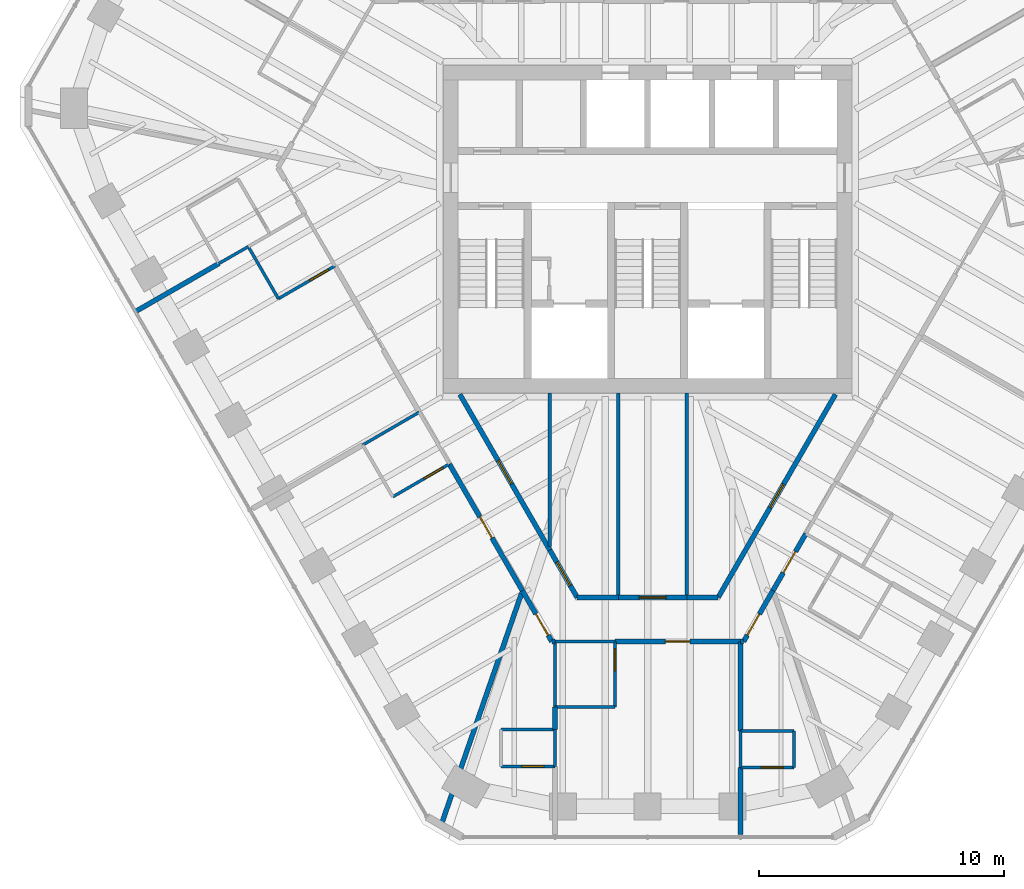
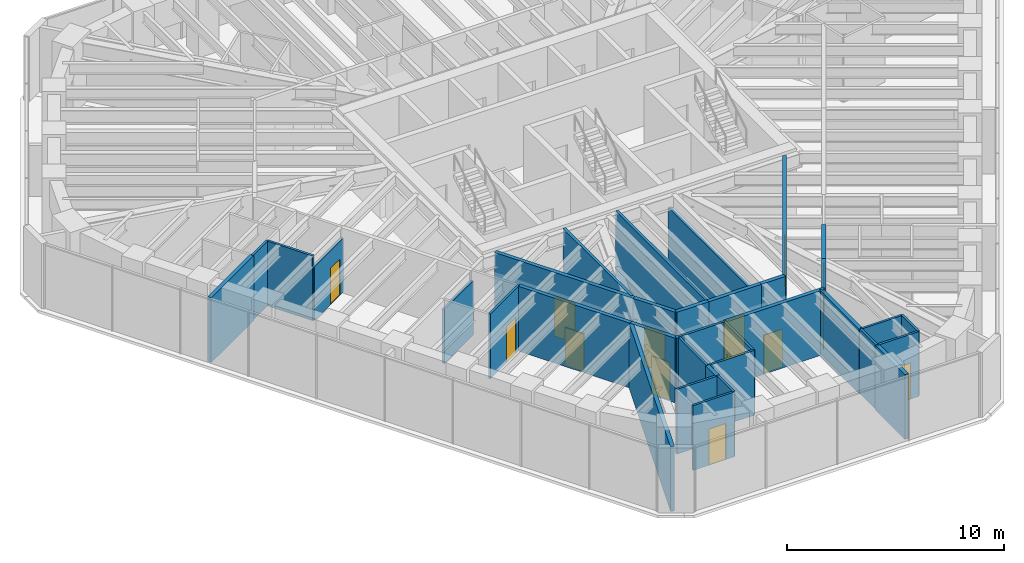
# One storey, part 9 of 14: 37 walls, 14 doors, 14 openings.
"""IFC4 building model written with IfcOpenShell, lengths in metres."""

from ifc_helpers import new_model, si_unit, direction, frame, frame_2d, origin, place, context, subcontext, project, spatial, rectangle, extrude, material, layer, layer_set, type_object, element, fill, save


model = new_model("IFC4")

# Units and contexts
model_context = context("Model", 3, precision=1e-05, world=origin(), true_north=direction((0.0, 1.0)))
body_context = subcontext(model_context, "Body", "Model", "MODEL_VIEW")
ifc_project = project(units=[si_unit("LENGTHUNIT", "METRE"), si_unit("AREAUNIT", "SQUARE_METRE"), si_unit("VOLUMEUNIT", "CUBIC_METRE"), si_unit("PLANEANGLEUNIT", "RADIAN"), si_unit("MASSUNIT", "GRAM", prefix="KILO")], contexts=[model_context])

# Site, building, storey
site_placement = place(None, origin())
site = spatial("IfcSite", under=ifc_project, at=site_placement, CompositionType="ELEMENT")
building_placement = place(site_placement, origin())
building = spatial("IfcBuilding", under=site, at=building_placement, Name="Sandreach Pilgrim Tower", CompositionType="ELEMENT")
storey_placement = place(building_placement, frame((0.0, 0.0, 268.39990234375)))
storey = spatial("IfcBuildingStorey", under=building, at=storey_placement, Name="L67", CompositionType="ELEMENT", Elevation=268.39990234375)

# Walls
ifc_material_1 = material(Name="Gypsum board on steel studs", Category="steel")
ifc_layer_1 = layer(ifc_material_1, 0.14990234375)
ifc_layer_set_1 = layer_set([ifc_layer_1], Name="Back of house wall 150")
wall_type_1 = type_object("IfcWallType", Name="Back of house wall 150", PredefinedType="PARTITIONING", material=ifc_layer_set_1)
wall_1_placement = place(storey_placement, frame((-4.0, -6.699951171875, 0.0), z_axis=(0.0, 0.0, 1.0), x_axis=(0.0, -1.0, 0.0)))
element("IfcWall", 1, at=wall_1_placement, inside=storey, type_object=wall_type_1, Name="Back of house wall L67-049", PredefinedType="PARTITIONING", context=body_context, shape_type="SweptSolid", body=[
    extrude(rectangle(XDim=6.26513671875, YDim=0.14990234375, at=frame_2d((3.132568359375, 0.0))), origin(), (0.0, 0.0, 1.0), 3.64013671875),
])
wall_2_placement = place(storey_placement, frame((-1.199951171875, -6.699951171875, 0.0), z_axis=(0.0, 0.0, 1.0), x_axis=(0.0, -1.0, 0.0)))
element("IfcWall", 2, at=wall_2_placement, inside=storey, type_object=wall_type_1, Name="Back of house wall L67-065", PredefinedType="PARTITIONING", context=body_context, shape_type="SweptSolid", body=[
    extrude(rectangle(XDim=8.360107421875, YDim=0.14990234375, at=frame_2d((4.18017578125, 0.0))), origin(), (0.0, 0.0, 1.0), 3.64013671875),
])
wall_3_placement = place(storey_placement, frame((1.60009765625, -6.699951171875, 0.0), z_axis=(0.0, 0.0, 1.0), x_axis=(0.0, -1.0, 0.0)))
element("IfcWall", 3, at=wall_3_placement, inside=storey, type_object=wall_type_1, Name="Back of house wall L67-067", PredefinedType="PARTITIONING", context=body_context, shape_type="SweptSolid", body=[
    extrude(rectangle(XDim=8.360107421875, YDim=0.14990234375, at=frame_2d((4.18017578125, 0.0))), origin(), (0.0, 0.0, 1.0), 2.8603515625),
])
ifc_material_2 = material(Name="Moisture-resistant gypsum board on steel studs", Category="steel")
ifc_layer_2 = layer(ifc_material_2, 0.1201171875)
ifc_layer_set_2 = layer_set([ifc_layer_2], Name="Bathroom partition 120")
wall_type_2 = type_object("IfcWallType", Name="Bathroom partition 120", PredefinedType="PARTITIONING", material=ifc_layer_set_2)
wall_4_placement = place(storey_placement, frame((-17.530517578125, -1.39892578125, 0.0), z_axis=(0.0, 0.0, 1.0), x_axis=(0.867308096735, 0.497771700017, 0.0)))
element("IfcWall", 4, at=wall_4_placement, inside=storey, type_object=wall_type_2, Name="Bathroom partition L67-005", PredefinedType="PARTITIONING", context=body_context, shape_type="SweptSolid", body=[
    extrude(rectangle(XDim=1.384033203125, YDim=0.1201171875, at=frame_2d((0.69189453125, 0.0))), origin(), (0.0, 0.0, 1.0), 3.64013671875),
])
wall_5_placement = place(storey_placement, frame((-16.330078125, -0.7099609375, 0.0), z_axis=(0.0, 0.0, 1.0), x_axis=(0.500046071023, -0.865998803033, 0.0)))
element("IfcWall", 5, at=wall_5_placement, inside=storey, type_object=wall_type_2, Name="Bathroom partition L67-009", PredefinedType="PARTITIONING", context=body_context, shape_type="SweptSolid", body=[
    extrude(rectangle(XDim=2.459716796875, YDim=0.1201171875, at=frame_2d((1.22998046875, 0.0))), origin(), (0.0, 0.0, 1.0), 3.64013671875),
])

# Wall, opening, door
wall_6_placement = place(storey_placement, frame((-15.10009765625, -2.840087890625, 0.0), z_axis=(0.0, 0.0, 1.0), x_axis=(0.86498992408, 0.501789229896, 0.0)))
wall_6 = element("IfcWall", 6, at=wall_6_placement, inside=storey, type_object=wall_type_2, Name="Bathroom partition L67-016", PredefinedType="PARTITIONING", context=body_context, shape_type="SweptSolid", body=[
    extrude(rectangle(XDim=2.670654296875, YDim=0.1201171875, at=frame_2d((1.33544921875, 0.0))), origin(), (0.0, 0.0, 1.0), 3.02294921875),
])
opening_1_placement = place(wall_6_placement, frame((1.470458984375, 0.0, 0.0)))
opening_1 = element("IfcOpeningElement", 7, at=opening_1_placement, cuts=wall_6, Name="Opening D09-14B", PredefinedType="OPENING", context=body_context, shape_type="SweptSolid", body=[
    extrude(rectangle(XDim=0.89990234375, YDim=2.030029296875, at=frame_2d((0.449951171875, 1.01513671875))), frame((0.0, 0.06005859375, 0.0), z_axis=(0.0, -1.0, 0.0), x_axis=(1.0, 0.0, 0.0)), (0.0, 0.0, 1.0), 0.1201171875),
])
ifc_material_3 = material(Name="Timber door, steel frame", Category="steel")
door_type_1 = type_object("IfcDoorType", Name="Bathroom door", OperationType="SINGLE_SWING_LEFT", PredefinedType="DOOR", material=ifc_material_3)
door_1_placement = place(opening_1_placement, origin())
door_1 = element("IfcDoor", 8, at=door_1_placement, inside=storey, type_object=door_type_1, Name="Door 6714B", OperationType="SINGLE_SWING_RIGHT", OverallHeight=2.030029296875, OverallWidth=0.89990234375, PredefinedType="DOOR", context=body_context, shape_type="SweptSolid", body=[
    extrude(rectangle(XDim=0.89990234375, YDim=2.030029296875, at=frame_2d((0.449951171875, 1.01513671875))), frame((0.0, 0.02490234375, 0.0), z_axis=(0.0, -1.0, 0.0), x_axis=(1.0, 0.0, 0.0)), (0.0, 0.0, 1.0), 0.050048828125),
])
fill(opening_1, door_1)

# Wall
wall_7_placement = place(storey_placement, frame((-11.64990234375, -8.820068359375, 0.0), z_axis=(0.0, 0.0, 1.0), x_axis=(0.864966903181, 0.501828911485, 0.0)))
element("IfcWall", 9, at=wall_7_placement, inside=storey, type_object=wall_type_2, Name="Bathroom partition L67-026", PredefinedType="PARTITIONING", context=body_context, shape_type="SweptSolid", body=[
    extrude(rectangle(XDim=2.67041015625, YDim=0.1201171875, at=frame_2d((1.335205078125, 0.0))), origin(), (0.0, 0.0, 1.0), 3.0380859375),
])

# Wall, opening, door
wall_8_placement = place(storey_placement, frame((-10.419921875, -10.93994140625, 0.0), z_axis=(0.0, 0.0, 1.0), x_axis=(0.865006586495, 0.501760505939, 0.0)))
wall_8 = element("IfcWall", 10, at=wall_8_placement, inside=storey, type_object=wall_type_2, Name="Bathroom partition L67-030", PredefinedType="PARTITIONING", context=body_context, shape_type="SweptSolid", body=[
    extrude(rectangle(XDim=2.670166015625, YDim=0.1201171875, at=frame_2d((1.3349609375, 0.0))), origin(), (0.0, 0.0, 1.0), 3.64013671875),
])
opening_2_placement = place(wall_8_placement, frame((1.470458984375, 0.0, 0.0)))
opening_2 = element("IfcOpeningElement", 11, at=opening_2_placement, cuts=wall_8, Name="Opening D09-13B", PredefinedType="OPENING", context=body_context, shape_type="SweptSolid", body=[
    extrude(rectangle(XDim=0.89990234375, YDim=2.030029296875, at=frame_2d((0.449951171875, 1.01513671875))), frame((0.0, 0.06005859375, 0.0), z_axis=(0.0, -1.0, 0.0), x_axis=(1.0, 0.0, 0.0)), (0.0, 0.0, 1.0), 0.1201171875),
])
door_2_placement = place(opening_2_placement, origin())
door_2 = element("IfcDoor", 12, at=door_2_placement, inside=storey, type_object=door_type_1, Name="Door 6713B", OperationType="SINGLE_SWING_RIGHT", OverallHeight=2.030029296875, OverallWidth=0.89990234375, PredefinedType="DOOR", context=body_context, shape_type="SweptSolid", body=[
    extrude(rectangle(XDim=0.89990234375, YDim=2.030029296875, at=frame_2d((0.449951171875, 1.01513671875))), frame((0.0, 0.02490234375, 0.0), z_axis=(0.0, -1.0, 0.0), x_axis=(1.0, 0.0, 0.0)), (0.0, 0.0, 1.0), 0.050048828125),
])
fill(opening_2, door_2)

wall_9_placement = place(storey_placement, frame((-5.989990234375, -21.9599609375, 0.0), z_axis=(0.0, 0.0, 1.0), x_axis=(1.0, 0.0, 0.0)))
wall_9 = element("IfcWall", 13, at=wall_9_placement, inside=storey, type_object=wall_type_2, Name="Bathroom partition L67-042", PredefinedType="PARTITIONING", context=body_context, shape_type="SweptSolid", body=[
    extrude(rectangle(XDim=2.199951171875, YDim=0.1201171875, at=frame_2d((1.10009765625, 0.0))), origin(), (0.0, 0.0, 1.0), 3.64013671875),
])
opening_3_placement = place(wall_9_placement, frame((0.85009765625, 0.0, 0.0)))
opening_3 = element("IfcOpeningElement", 14, at=opening_3_placement, cuts=wall_9, Name="Opening D09-12B", PredefinedType="OPENING", context=body_context, shape_type="SweptSolid", body=[
    extrude(rectangle(XDim=0.89990234375, YDim=2.030029296875, at=frame_2d((0.449951171875, 1.01513671875))), frame((0.0, 0.06005859375, 0.0), z_axis=(0.0, -1.0, 0.0), x_axis=(1.0, 0.0, 0.0)), (0.0, 0.0, 1.0), 0.1201171875),
])
door_3_placement = place(opening_3_placement, origin())
door_3 = element("IfcDoor", 15, at=door_3_placement, inside=storey, type_object=door_type_1, Name="Door 6712B", OperationType="SINGLE_SWING_RIGHT", OverallHeight=2.030029296875, OverallWidth=0.89990234375, PredefinedType="DOOR", context=body_context, shape_type="SweptSolid", body=[
    extrude(rectangle(XDim=0.89990234375, YDim=2.030029296875, at=frame_2d((0.449951171875, 1.01513671875))), frame((0.0, 0.02490234375, 0.0), z_axis=(0.0, -1.0, 0.0), x_axis=(1.0, 0.0, 0.0)), (0.0, 0.0, 1.0), 0.050048828125),
])
fill(opening_3, door_3)

# Walls
wall_10_placement = place(storey_placement, frame((-3.7900390625, -21.9599609375, 0.0), z_axis=(0.0, 0.0, 1.0), x_axis=(0.0, 1.0, 0.0)))
element("IfcWall", 16, at=wall_10_placement, inside=storey, type_object=wall_type_2, Name="Bathroom partition L67-052", PredefinedType="PARTITIONING", context=body_context, shape_type="SweptSolid", body=[
    extrude(rectangle(XDim=1.5, YDim=0.1201171875, at=frame_2d((0.75, 0.0))), origin(), (0.0, 0.0, 1.0), 3.64013671875),
])
wall_11_placement = place(storey_placement, frame((-3.7900390625, -20.4599609375, 0.0), z_axis=(0.0, 0.0, 1.0), x_axis=(-1.0, 0.0, 0.0)))
element("IfcWall", 17, at=wall_11_placement, inside=storey, type_object=wall_type_2, Name="Bathroom partition L67-053", PredefinedType="PARTITIONING", context=body_context, shape_type="SweptSolid", body=[
    extrude(rectangle(XDim=2.199951171875, YDim=0.1201171875, at=frame_2d((1.10009765625, 0.0))), origin(), (0.0, 0.0, 1.0), 3.64013671875),
])
wall_12_placement = place(storey_placement, frame((-3.7900390625, -19.530029296875, 0.0), z_axis=(0.0, 0.0, 1.0), x_axis=(0.0, 1.0, 0.0)))
element("IfcWall", 18, at=wall_12_placement, inside=storey, type_object=wall_type_2, Name="Bathroom partition L67-055", PredefinedType="PARTITIONING", context=body_context, shape_type="SweptSolid", body=[
    extrude(rectangle(XDim=2.669921875, YDim=0.1201171875, at=frame_2d((1.3349609375, 0.0))), origin(), (0.0, 0.0, 1.0), 3.64013671875),
])
for number, where, z_axis, x_axis, name in (
    (19, (-3.7900390625, -19.530029296875, 0.0), (0.0, 0.0, 1.0), (1.0, 0.0, 0.0), "Bathroom partition L67-056"),
    (20, (-3.7900390625, -16.860107421875, 0.0), (0.0, 0.0, 1.0), (1.0, 0.0, 0.0), "Bathroom partition L67-057"),
):
    element("IfcWall", number, at=place(storey_placement, frame(where, z_axis=z_axis, x_axis=x_axis)), inside=storey, type_object=wall_type_2, Name=name, PredefinedType="PARTITIONING", context=body_context, shape_type="SweptSolid", body=[
        extrude(rectangle(XDim=2.449951171875, YDim=0.1201171875, at=frame_2d((1.22509765625, 0.0))), origin(), (0.0, 0.0, 1.0), 3.64013671875),
    ])

# Wall, opening, door
wall_13_placement = place(storey_placement, frame((-1.340087890625, -19.530029296875, 0.0), z_axis=(0.0, 0.0, 1.0), x_axis=(0.0, 1.0, 0.0)))
wall_13 = element("IfcWall", 21, at=wall_13_placement, inside=storey, type_object=wall_type_2, Name="Bathroom partition L67-062", PredefinedType="PARTITIONING", context=body_context, shape_type="SweptSolid", body=[
    extrude(rectangle(XDim=2.669921875, YDim=0.1201171875, at=frame_2d((1.3349609375, 0.0))), origin(), (0.0, 0.0, 1.0), 3.64013671875),
])
opening_4_placement = place(wall_13_placement, frame((1.469970703125, 0.0, 0.0)))
opening_4 = element("IfcOpeningElement", 22, at=opening_4_placement, cuts=wall_13, Name="Opening D09-11B", PredefinedType="OPENING", context=body_context, shape_type="SweptSolid", body=[
    extrude(rectangle(XDim=0.89990234375, YDim=2.030029296875, at=frame_2d((0.449951171875, 1.01513671875))), frame((0.0, 0.06005859375, 0.0), z_axis=(0.0, -1.0, 0.0), x_axis=(1.0, 0.0, 0.0)), (0.0, 0.0, 1.0), 0.1201171875),
])
door_4_placement = place(opening_4_placement, origin())
door_4 = element("IfcDoor", 23, at=door_4_placement, inside=storey, type_object=door_type_1, Name="Door 6711B", OperationType="SINGLE_SWING_RIGHT", OverallHeight=2.030029296875, OverallWidth=0.89990234375, PredefinedType="DOOR", context=body_context, shape_type="SweptSolid", body=[
    extrude(rectangle(XDim=0.89990234375, YDim=2.030029296875, at=frame_2d((0.449951171875, 1.01513671875))), frame((0.0, 0.02490234375, 0.0), z_axis=(0.0, -1.0, 0.0), x_axis=(1.0, 0.0, 0.0)), (0.0, 0.0, 1.0), 0.050048828125),
])
fill(opening_4, door_4)

# Wall
wall_14_placement = place(storey_placement, frame((3.7900390625, -22.010009765625, 0.0), z_axis=(0.0, 0.0, 1.0), x_axis=(0.0, 1.0, 0.0)))
element("IfcWall", 24, at=wall_14_placement, inside=storey, type_object=wall_type_2, Name="Bathroom partition L67-070", PredefinedType="PARTITIONING", context=body_context, shape_type="SweptSolid", body=[
    extrude(rectangle(XDim=1.5, YDim=0.1201171875, at=frame_2d((0.75, 0.0))), origin(), (0.0, 0.0, 1.0), 3.64013671875),
])

# Wall, opening, door
wall_15_placement = place(storey_placement, frame((3.7900390625, -22.010009765625, 0.0), z_axis=(0.0, 0.0, 1.0), x_axis=(1.0, 0.0, 0.0)))
wall_15 = element("IfcWall", 25, at=wall_15_placement, inside=storey, type_object=wall_type_2, Name="Bathroom partition L67-071", PredefinedType="PARTITIONING", context=body_context, shape_type="SweptSolid", body=[
    extrude(rectangle(XDim=2.199951171875, YDim=0.1201171875, at=frame_2d((1.10009765625, 0.0))), origin(), (0.0, 0.0, 1.0), 3.64013671875),
])
opening_5_placement = place(wall_15_placement, frame((0.85009765625, 0.0, 0.0)))
opening_5 = element("IfcOpeningElement", 26, at=opening_5_placement, cuts=wall_15, Name="Opening D09-10B", PredefinedType="OPENING", context=body_context, shape_type="SweptSolid", body=[
    extrude(rectangle(XDim=0.89990234375, YDim=2.030029296875, at=frame_2d((0.449951171875, 1.01513671875))), frame((0.0, 0.06005859375, 0.0), z_axis=(0.0, -1.0, 0.0), x_axis=(1.0, 0.0, 0.0)), (0.0, 0.0, 1.0), 0.1201171875),
])
door_5_placement = place(opening_5_placement, origin())
door_5 = element("IfcDoor", 27, at=door_5_placement, inside=storey, type_object=door_type_1, Name="Door 6710B", OperationType="SINGLE_SWING_RIGHT", OverallHeight=2.030029296875, OverallWidth=0.89990234375, PredefinedType="DOOR", context=body_context, shape_type="SweptSolid", body=[
    extrude(rectangle(XDim=0.89990234375, YDim=2.030029296875, at=frame_2d((0.449951171875, 1.01513671875))), frame((0.0, 0.02490234375, 0.0), z_axis=(0.0, -1.0, 0.0), x_axis=(1.0, 0.0, 0.0)), (0.0, 0.0, 1.0), 0.050048828125),
])
fill(opening_5, door_5)

# Walls
wall_16_placement = place(storey_placement, frame((5.989990234375, -22.010009765625, 0.0), z_axis=(0.0, 0.0, 1.0), x_axis=(0.0, 1.0, 0.0)))
element("IfcWall", 28, at=wall_16_placement, inside=storey, type_object=wall_type_2, Name="Bathroom partition L67-078", PredefinedType="PARTITIONING", context=body_context, shape_type="SweptSolid", body=[
    extrude(rectangle(XDim=1.5, YDim=0.1201171875, at=frame_2d((0.75, 0.0))), origin(), (0.0, 0.0, 1.0), 3.64013671875),
])
wall_17_placement = place(storey_placement, frame((5.989990234375, -20.510009765625, 0.0), z_axis=(0.0, 0.0, 1.0), x_axis=(-1.0, 0.0, 0.0)))
element("IfcWall", 29, at=wall_17_placement, inside=storey, type_object=wall_type_2, Name="Bathroom partition L67-079", PredefinedType="PARTITIONING", context=body_context, shape_type="SweptSolid", body=[
    extrude(rectangle(XDim=2.199951171875, YDim=0.1201171875, at=frame_2d((1.10009765625, 0.0))), origin(), (0.0, 0.0, 1.0), 3.64013671875),
])

# Wall, opening, door
ifc_material_4 = material(Name="Gypsum board on steel studs, two layers each side", Category="steel")
ifc_layer_3 = layer(ifc_material_4, 0.199951171875)
ifc_layer_set_3 = layer_set([ifc_layer_3], Name="Corridor wall 200")
wall_type_3 = type_object("IfcWallType", Name="Corridor wall 200", PredefinedType="PARTITIONING", material=ifc_layer_set_3)
wall_18_placement = place(storey_placement, frame((-8.110107421875, -9.60009765625, 0.0), z_axis=(0.0, 0.0, 1.0), x_axis=(0.49991915452, -0.866072074913, 0.0)))
wall_18 = element("IfcWall", 30, at=wall_18_placement, inside=storey, type_object=wall_type_3, Name="Corridor wall L67-037", PredefinedType="PARTITIONING", context=body_context, shape_type="SweptSolid", body=[
    extrude(rectangle(XDim=5.98095703125, YDim=0.199951171875, at=frame_2d((2.990478515625, 0.0))), origin(), (0.0, 0.0, 1.0), 3.64013671875),
])
opening_6_placement = place(wall_18_placement, frame((2.490478515625, 0.0, 0.0)))
opening_6 = element("IfcOpeningElement", 31, at=opening_6_placement, cuts=wall_18, Name="Opening D10-13", PredefinedType="OPENING", context=body_context, shape_type="SweptSolid", body=[
    extrude(rectangle(XDim=1.0, YDim=2.1298828125, at=frame_2d((0.5, 1.06494140625))), frame((0.0, 0.10009765625, 0.0), z_axis=(0.0, -1.0, 0.0), x_axis=(1.0, 0.0, 0.0)), (0.0, 0.0, 1.0), 0.199951171875),
])
ifc_material_5 = material(Name="Steel door and frame", Category="steel")
door_type_2 = type_object("IfcDoorType", Name="Guest room entry door", OperationType="SINGLE_SWING_LEFT", PredefinedType="DOOR", material=ifc_material_5)
door_6_placement = place(opening_6_placement, origin())
door_6 = element("IfcDoor", 32, at=door_6_placement, inside=storey, type_object=door_type_2, Name="Door 6713", OperationType="SINGLE_SWING_LEFT", OverallHeight=2.1298828125, OverallWidth=1.0, PredefinedType="DOOR", context=body_context, shape_type="SweptSolid", body=[
    extrude(rectangle(XDim=1.0, YDim=2.1298828125, at=frame_2d((0.5, 1.06494140625))), frame((0.0, 0.02490234375, 0.0), z_axis=(0.0, -1.0, 0.0), x_axis=(1.0, 0.0, 0.0)), (0.0, 0.0, 1.0), 0.050048828125),
])
fill(opening_6, door_6)

wall_19_placement = place(storey_placement, frame((-5.1201171875, -14.780029296875, 0.0), z_axis=(0.0, 0.0, 1.0), x_axis=(0.499813401482, -0.866133109688, 0.0)))
wall_19 = element("IfcWall", 33, at=wall_19_placement, inside=storey, type_object=wall_type_3, Name="Corridor wall L67-044", PredefinedType="PARTITIONING", context=body_context, shape_type="SweptSolid", body=[
    extrude(rectangle(XDim=2.4013671875, YDim=0.199951171875, at=frame_2d((1.20068359375, 0.0))), origin(), (0.0, 0.0, 1.0), 3.64013671875),
])
opening_7_placement = place(wall_19_placement, frame((1.10009765625, 0.0, 0.0)))
opening_7 = element("IfcOpeningElement", 34, at=opening_7_placement, cuts=wall_19, Name="Opening D10-12", PredefinedType="OPENING", context=body_context, shape_type="SweptSolid", body=[
    extrude(rectangle(XDim=1.0, YDim=2.1298828125, at=frame_2d((0.5, 1.06494140625))), frame((0.0, 0.10009765625, 0.0), z_axis=(0.0, -1.0, 0.0), x_axis=(1.0, 0.0, 0.0)), (0.0, 0.0, 1.0), 0.199951171875),
])
door_7_placement = place(opening_7_placement, origin())
door_7 = element("IfcDoor", 35, at=door_7_placement, inside=storey, type_object=door_type_2, Name="Door 6712", OperationType="SINGLE_SWING_RIGHT", OverallHeight=2.1298828125, OverallWidth=1.0, PredefinedType="DOOR", context=body_context, shape_type="SweptSolid", body=[
    extrude(rectangle(XDim=1.0, YDim=2.1298828125, at=frame_2d((0.5, 1.06494140625))), frame((0.0, 0.02490234375, 0.0), z_axis=(0.0, -1.0, 0.0), x_axis=(1.0, 0.0, 0.0)), (0.0, 0.0, 1.0), 0.050048828125),
])
fill(opening_7, door_7)

wall_20_placement = place(storey_placement, frame((-4.0, -13.1201171875, 0.0), z_axis=(0.0, 0.0, 1.0), x_axis=(-0.500218436225, 0.865899252835, 0.0)))
wall_20 = element("IfcWall", 36, at=wall_20_placement, inside=storey, type_object=wall_type_3, Name="Corridor wall L67-048", PredefinedType="PARTITIONING", context=body_context, shape_type="SweptSolid", body=[
    extrude(rectangle(XDim=7.356689453125, YDim=0.199951171875, at=frame_2d((3.67822265625, 0.0))), origin(), (0.0, 0.0, 1.0), 3.64013671875),
])
opening_8_placement = place(wall_20_placement, frame((3.12841796875, 0.0, 0.0)))
opening_8 = element("IfcOpeningElement", 37, at=opening_8_placement, cuts=wall_20, Name="Opening D11H-S1", PredefinedType="OPENING", context=body_context, shape_type="SweptSolid", body=[
    extrude(rectangle(XDim=1.10009765625, YDim=2.199951171875, at=frame_2d((0.550048828125, 1.10009765625))), frame((0.0, 0.10009765625, 0.0), z_axis=(0.0, -1.0, 0.0), x_axis=(1.0, 0.0, 0.0)), (0.0, 0.0, 1.0), 0.199951171875),
])
ifc_material_6 = material(Name="Steel door and frame", Category="steel")
door_type_3 = type_object("IfcDoorType", Name="Back of house door", OperationType="SINGLE_SWING_LEFT", PredefinedType="DOOR", material=ifc_material_6)
door_8_placement = place(opening_8_placement, origin())
door_8 = element("IfcDoor", 38, at=door_8_placement, inside=storey, type_object=door_type_3, Name="Door 67S1", OperationType="SINGLE_SWING_LEFT", OverallHeight=2.199951171875, OverallWidth=1.10009765625, PredefinedType="DOOR", context=body_context, shape_type="SweptSolid", body=[
    extrude(rectangle(XDim=1.10009765625, YDim=2.199951171875, at=frame_2d((0.550048828125, 1.10009765625))), frame((0.0, 0.02490234375, 0.0), z_axis=(0.0, -1.0, 0.0), x_axis=(1.0, 0.0, 0.0)), (0.0, 0.0, 1.0), 0.050048828125),
])
fill(opening_8, door_8)

# Wall
wall_21_placement = place(storey_placement, frame((-3.919921875, -16.860107421875, 0.0), z_axis=(0.0, 0.0, 1.0), x_axis=(1.0, 0.0, 0.0)))
element("IfcWall", 39, at=wall_21_placement, inside=storey, type_object=wall_type_3, Name="Corridor wall L67-050", PredefinedType="PARTITIONING", context=body_context, shape_type="SweptSolid", body=[
    extrude(rectangle(XDim=0.1298828125, YDim=0.199951171875, at=frame_2d((0.06494140625, 0.0))), origin(), (0.0, 0.0, 1.0), 3.64013671875),
])

# Wall, opening, door
wall_22_placement = place(storey_placement, frame((-2.8798828125, -15.06005859375, 0.0), z_axis=(0.0, 0.0, 1.0), x_axis=(-0.499983441833, 0.866034963436, 0.0)))
wall_22 = element("IfcWall", 40, at=wall_22_placement, inside=storey, type_object=wall_type_3, Name="Corridor wall L67-058", PredefinedType="PARTITIONING", context=body_context, shape_type="SweptSolid", body=[
    extrude(rectangle(XDim=2.240234375, YDim=0.199951171875, at=frame_2d((1.1201171875, 0.0))), origin(), (0.0, 0.0, 1.0), 3.64013671875),
])
opening_9_placement = place(wall_22_placement, frame((0.570068359375, 0.0, 0.0)))
opening_9 = element("IfcOpeningElement", 41, at=opening_9_placement, cuts=wall_22, Name="Opening D11H-S2", PredefinedType="OPENING", context=body_context, shape_type="SweptSolid", body=[
    extrude(rectangle(XDim=1.10009765625, YDim=2.199951171875, at=frame_2d((0.550048828125, 1.10009765625))), frame((0.0, 0.10009765625, 0.0), z_axis=(0.0, -1.0, 0.0), x_axis=(1.0, 0.0, 0.0)), (0.0, 0.0, 1.0), 0.199951171875),
])
door_9_placement = place(opening_9_placement, origin())
door_9 = element("IfcDoor", 42, at=door_9_placement, inside=storey, type_object=door_type_3, Name="Door 67S2", OperationType="SINGLE_SWING_LEFT", OverallHeight=2.199951171875, OverallWidth=1.10009765625, PredefinedType="DOOR", context=body_context, shape_type="SweptSolid", body=[
    extrude(rectangle(XDim=1.10009765625, YDim=2.199951171875, at=frame_2d((0.550048828125, 1.10009765625))), frame((0.0, 0.02490234375, 0.0), z_axis=(0.0, -1.0, 0.0), x_axis=(1.0, 0.0, 0.0)), (0.0, 0.0, 1.0), 0.050048828125),
])
fill(opening_9, door_9)

wall_23_placement = place(storey_placement, frame((-1.340087890625, -16.860107421875, 0.0), z_axis=(0.0, 0.0, 1.0), x_axis=(1.0, 0.0, 0.0)))
wall_23 = element("IfcWall", 43, at=wall_23_placement, inside=storey, type_object=wall_type_3, Name="Corridor wall L67-063", PredefinedType="PARTITIONING", context=body_context, shape_type="SweptSolid", body=[
    extrude(rectangle(XDim=5.130126953125, YDim=0.199951171875, at=frame_2d((2.56494140625, 0.0))), origin(), (0.0, 0.0, 1.0), 3.64013671875),
])
opening_10_placement = place(wall_23_placement, frame((2.06494140625, 0.0, 0.0)))
opening_10 = element("IfcOpeningElement", 44, at=opening_10_placement, cuts=wall_23, Name="Opening D10-11", PredefinedType="OPENING", context=body_context, shape_type="SweptSolid", body=[
    extrude(rectangle(XDim=1.0, YDim=2.1298828125, at=frame_2d((0.5, 1.06494140625))), frame((0.0, 0.10009765625, 0.0), z_axis=(0.0, -1.0, 0.0), x_axis=(1.0, 0.0, 0.0)), (0.0, 0.0, 1.0), 0.199951171875),
])
door_10_placement = place(opening_10_placement, origin())
door_10 = element("IfcDoor", 45, at=door_10_placement, inside=storey, type_object=door_type_2, Name="Door 6711", OperationType="SINGLE_SWING_LEFT", OverallHeight=2.1298828125, OverallWidth=1.0, PredefinedType="DOOR", context=body_context, shape_type="SweptSolid", body=[
    extrude(rectangle(XDim=1.0, YDim=2.1298828125, at=frame_2d((0.5, 1.06494140625))), frame((0.0, 0.02490234375, 0.0), z_axis=(0.0, -1.0, 0.0), x_axis=(1.0, 0.0, 0.0)), (0.0, 0.0, 1.0), 0.050048828125),
])
fill(opening_10, door_10)

# Wall
wall_24_placement = place(storey_placement, frame((-1.199951171875, -15.06005859375, 0.0), z_axis=(0.0, 0.0, 1.0), x_axis=(-1.0, 0.0, 0.0)))
element("IfcWall", 46, at=wall_24_placement, inside=storey, type_object=wall_type_3, Name="Corridor wall L67-064", PredefinedType="PARTITIONING", context=body_context, shape_type="SweptSolid", body=[
    extrude(rectangle(XDim=1.679931640625, YDim=0.199951171875, at=frame_2d((0.83984375, 0.0))), origin(), (0.0, 0.0, 1.0), 3.64013671875),
])

# Wall, opening, door
wall_25_placement = place(storey_placement, frame((1.60009765625, -15.06005859375, 0.0), z_axis=(0.0, 0.0, 1.0), x_axis=(-1.0, 0.0, 0.0)))
wall_25 = element("IfcWall", 47, at=wall_25_placement, inside=storey, type_object=wall_type_3, Name="Corridor wall L67-066", PredefinedType="PARTITIONING", context=body_context, shape_type="SweptSolid", body=[
    extrude(rectangle(XDim=2.800048828125, YDim=0.199951171875, at=frame_2d((1.39990234375, 0.0))), origin(), (0.0, 0.0, 1.0), 3.64013671875),
])
opening_11_placement = place(wall_25_placement, frame((0.85009765625, 0.0, 0.0)))
opening_11 = element("IfcOpeningElement", 48, at=opening_11_placement, cuts=wall_25, Name="Opening D11H-S3", PredefinedType="OPENING", context=body_context, shape_type="SweptSolid", body=[
    extrude(rectangle(XDim=1.10009765625, YDim=2.199951171875, at=frame_2d((0.550048828125, 1.10009765625))), frame((0.0, 0.10009765625, 0.0), z_axis=(0.0, -1.0, 0.0), x_axis=(1.0, 0.0, 0.0)), (0.0, 0.0, 1.0), 0.199951171875),
])
door_11_placement = place(opening_11_placement, origin())
door_11 = element("IfcDoor", 49, at=door_11_placement, inside=storey, type_object=door_type_3, Name="Door 67S3", OperationType="SINGLE_SWING_LEFT", OverallHeight=2.199951171875, OverallWidth=1.10009765625, PredefinedType="DOOR", context=body_context, shape_type="SweptSolid", body=[
    extrude(rectangle(XDim=1.10009765625, YDim=2.199951171875, at=frame_2d((0.550048828125, 1.10009765625))), frame((0.0, 0.02490234375, 0.0), z_axis=(0.0, -1.0, 0.0), x_axis=(1.0, 0.0, 0.0)), (0.0, 0.0, 1.0), 0.050048828125),
])
fill(opening_11, door_11)

# Walls
wall_26_placement = place(storey_placement, frame((2.8798828125, -15.06005859375, 0.0), z_axis=(0.0, 0.0, 1.0), x_axis=(-1.0, 0.0, 0.0)))
element("IfcWall", 50, at=wall_26_placement, inside=storey, type_object=wall_type_3, Name="Corridor wall L67-068", PredefinedType="PARTITIONING", context=body_context, shape_type="SweptSolid", body=[
    extrude(rectangle(XDim=1.27978515625, YDim=0.199951171875, at=frame_2d((0.639892578125, 0.0))), origin(), (0.0, 0.0, 1.0), 3.64013671875),
])
wall_27_placement = place(storey_placement, frame((3.7900390625, -16.860107421875, 0.0), z_axis=(0.0, 0.0, 1.0), x_axis=(1.0, 0.0, 0.0)))
element("IfcWall", 51, at=wall_27_placement, inside=storey, type_object=wall_type_3, Name="Corridor wall L67-073", PredefinedType="PARTITIONING", context=body_context, shape_type="SweptSolid", body=[
    extrude(rectangle(XDim=0.1298828125, YDim=0.199951171875, at=frame_2d((0.06494140625, 0.0))), origin(), (0.0, 0.0, 1.0), 3.64013671875),
])

# Wall, opening, door
wall_28_placement = place(storey_placement, frame((3.919921875, -16.860107421875, 0.0), z_axis=(0.0, 0.0, 1.0), x_axis=(0.499693115345, 0.866202511239, 0.0)))
wall_28 = element("IfcWall", 52, at=wall_28_placement, inside=storey, type_object=wall_type_3, Name="Corridor wall L67-074", PredefinedType="PARTITIONING", context=body_context, shape_type="SweptSolid", body=[
    extrude(rectangle(XDim=2.4013671875, YDim=0.199951171875, at=frame_2d((1.20068359375, 0.0))), origin(), (0.0, 0.0, 1.0), 3.64013671875),
])
opening_12_placement = place(wall_28_placement, frame((0.300048828125, 0.0, 0.0)))
opening_12 = element("IfcOpeningElement", 53, at=opening_12_placement, cuts=wall_28, Name="Opening D10-10", PredefinedType="OPENING", context=body_context, shape_type="SweptSolid", body=[
    extrude(rectangle(XDim=1.0, YDim=2.1298828125, at=frame_2d((0.5, 1.06494140625))), frame((0.0, 0.10009765625, 0.0), z_axis=(0.0, -1.0, 0.0), x_axis=(1.0, 0.0, 0.0)), (0.0, 0.0, 1.0), 0.199951171875),
])
door_12_placement = place(opening_12_placement, origin())
door_12 = element("IfcDoor", 54, at=door_12_placement, inside=storey, type_object=door_type_2, Name="Door 6710", OperationType="SINGLE_SWING_LEFT", OverallHeight=2.1298828125, OverallWidth=1.0, PredefinedType="DOOR", context=body_context, shape_type="SweptSolid", body=[
    extrude(rectangle(XDim=1.0, YDim=2.1298828125, at=frame_2d((0.5, 1.06494140625))), frame((0.0, 0.02490234375, 0.0), z_axis=(0.0, -1.0, 0.0), x_axis=(1.0, 0.0, 0.0)), (0.0, 0.0, 1.0), 0.050048828125),
])
fill(opening_12, door_12)

wall_29_placement = place(storey_placement, frame((5.119873046875, -14.780029296875, 0.0), z_axis=(0.0, 0.0, 1.0), x_axis=(0.501343576294, 0.865248298761, 0.0)))
wall_29 = element("IfcWall", 55, at=wall_29_placement, inside=storey, type_object=wall_type_3, Name="Corridor wall L67-077", PredefinedType="PARTITIONING", context=body_context, shape_type="SweptSolid", body=[
    extrude(rectangle(XDim=2.69287109375, YDim=0.199951171875, at=frame_2d((1.346435546875, 0.0))), origin(), (0.0, 0.0, 1.0), 3.64013671875),
])
opening_13_placement = place(wall_29_placement, frame((0.846435546875, 0.0, 0.0)))
opening_13 = element("IfcOpeningElement", 56, at=opening_13_placement, cuts=wall_29, Name="Opening D10-09", PredefinedType="OPENING", context=body_context, shape_type="SweptSolid", body=[
    extrude(rectangle(XDim=1.0, YDim=2.1298828125, at=frame_2d((0.5, 1.06494140625))), frame((0.0, 0.10009765625, 0.0), z_axis=(0.0, -1.0, 0.0), x_axis=(1.0, 0.0, 0.0)), (0.0, 0.0, 1.0), 0.199951171875),
])
door_13_placement = place(opening_13_placement, origin())
door_13 = element("IfcDoor", 57, at=door_13_placement, inside=storey, type_object=door_type_2, Name="Door 6709", OperationType="SINGLE_SWING_LEFT", OverallHeight=2.1298828125, OverallWidth=1.0, PredefinedType="DOOR", context=body_context, shape_type="SweptSolid", body=[
    extrude(rectangle(XDim=1.0, YDim=2.1298828125, at=frame_2d((0.5, 1.06494140625))), frame((0.0, 0.02490234375, 0.0), z_axis=(0.0, -1.0, 0.0), x_axis=(1.0, 0.0, 0.0)), (0.0, 0.0, 1.0), 0.050048828125),
])
fill(opening_13, door_13)

wall_30_placement = place(storey_placement, frame((7.679931640625, -6.75, 0.0), z_axis=(0.0, 0.0, 1.0), x_axis=(-0.500174600737, -0.865924574532, 0.0)))
wall_30 = element("IfcWall", 58, at=wall_30_placement, inside=storey, type_object=wall_type_3, Name="Corridor wall L67-091", PredefinedType="PARTITIONING", context=body_context, shape_type="SweptSolid", body=[
    extrude(rectangle(XDim=9.5966796875, YDim=0.199951171875, at=frame_2d((4.79833984375, 0.0))), origin(), (0.0, 0.0, 1.0), 3.64013671875),
])
opening_14_placement = place(wall_30_placement, frame((4.248291015625, 0.0, 0.0)))
opening_14 = element("IfcOpeningElement", 59, at=opening_14_placement, cuts=wall_30, Name="Opening D11H-S4", PredefinedType="OPENING", context=body_context, shape_type="SweptSolid", body=[
    extrude(rectangle(XDim=1.10009765625, YDim=2.199951171875, at=frame_2d((0.550048828125, 1.10009765625))), frame((0.0, 0.10009765625, 0.0), z_axis=(0.0, -1.0, 0.0), x_axis=(1.0, 0.0, 0.0)), (0.0, 0.0, 1.0), 0.199951171875),
])
door_14_placement = place(opening_14_placement, origin())
door_14 = element("IfcDoor", 60, at=door_14_placement, inside=storey, type_object=door_type_3, Name="Door 67S4", OperationType="SINGLE_SWING_LEFT", OverallHeight=2.199951171875, OverallWidth=1.10009765625, PredefinedType="DOOR", context=body_context, shape_type="SweptSolid", body=[
    extrude(rectangle(XDim=1.10009765625, YDim=2.199951171875, at=frame_2d((0.550048828125, 1.10009765625))), frame((0.0, 0.02490234375, 0.0), z_axis=(0.0, -1.0, 0.0), x_axis=(1.0, 0.0, 0.0)), (0.0, 0.0, 1.0), 0.050048828125),
])
fill(opening_14, door_14)

# Walls
ifc_material_7 = material(Name="Double steel stud acoustic wall, gypsum board", Category="steel")
ifc_layer_4 = layer(ifc_material_7, 0.199951171875)
ifc_layer_set_4 = layer_set([ifc_layer_4], Name="Party wall 200")
wall_type_4 = type_object("IfcWallType", Name="Party wall 200", PredefinedType="PARTITIONING", material=ifc_layer_set_4)
wall_31_placement = place(storey_placement, frame((-20.924072265625, -3.35498046875, 0.0), z_axis=(0.0, 0.0, 1.0), x_axis=(0.866380602512, 0.49938427247, 0.0)))
element("IfcWall", 61, at=wall_31_placement, inside=storey, type_object=wall_type_4, Name="Party wall L67-003", PredefinedType="PARTITIONING", context=body_context, shape_type="SweptSolid", body=[
    extrude(rectangle(XDim=3.9169921875, YDim=0.199951171875, at=frame_2d((1.95849609375, 0.0))), origin(), (0.0, 0.0, 1.0), 3.64013671875),
])
wall_32_placement = place(storey_placement, frame((-8.4501953125, -24.381591796875, 0.0), z_axis=(0.0, 0.0, 1.0), x_axis=(0.327695764917, 0.944783300898, 0.0)))
element("IfcWall", 62, at=wall_32_placement, inside=storey, type_object=wall_type_4, Name="Party wall L67-036", PredefinedType="PARTITIONING", context=body_context, shape_type="SweptSolid", body=[
    extrude(rectangle(XDim=10.057861328125, YDim=0.199951171875, at=frame_2d((5.02880859375, 0.0))), origin(), (0.0, 0.0, 1.0), 3.64013671875),
])
wall_33_placement = place(storey_placement, frame((-3.7900390625, -20.4599609375, 0.0), z_axis=(0.0, 0.0, 1.0), x_axis=(0.0, 1.0, 0.0)))
element("IfcWall", 63, at=wall_33_placement, inside=storey, type_object=wall_type_4, Name="Party wall L67-054", PredefinedType="PARTITIONING", context=body_context, shape_type="SweptSolid", body=[
    extrude(rectangle(XDim=0.929931640625, YDim=0.199951171875, at=frame_2d((0.46484375, 0.0))), origin(), (0.0, 0.0, 1.0), 3.64013671875),
])
wall_34_placement = place(storey_placement, frame((3.7900390625, -24.739990234375, 0.0), z_axis=(0.0, 0.0, 1.0), x_axis=(0.0, 1.0, 0.0)))
element("IfcWall", 64, at=wall_34_placement, inside=storey, type_object=wall_type_4, Name="Party wall L67-069", PredefinedType="PARTITIONING", context=body_context, shape_type="SweptSolid", body=[
    extrude(rectangle(XDim=2.72998046875, YDim=0.199951171875, at=frame_2d((1.364990234375, 0.0))), origin(), (0.0, 0.0, 1.0), 3.64013671875),
])
wall_35_placement = place(storey_placement, frame((3.7900390625, -20.510009765625, 0.0), z_axis=(0.0, 0.0, 1.0), x_axis=(0.0, 1.0, 0.0)))
element("IfcWall", 65, at=wall_35_placement, inside=storey, type_object=wall_type_4, Name="Party wall L67-072", PredefinedType="PARTITIONING", context=body_context, shape_type="SweptSolid", body=[
    extrude(rectangle(XDim=3.639892578125, YDim=0.199951171875, at=frame_2d((1.81982421875, 0.0))), origin(), (0.0, 0.0, 1.0), 3.64013671875),
])

save(model, "model.ifc")
